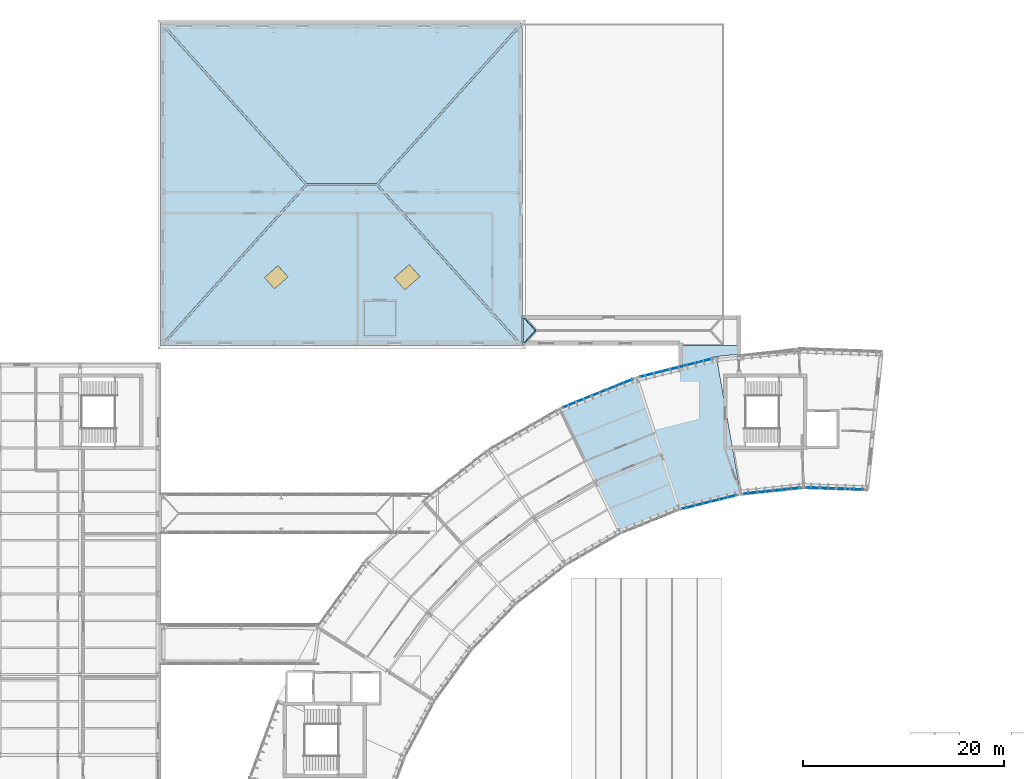
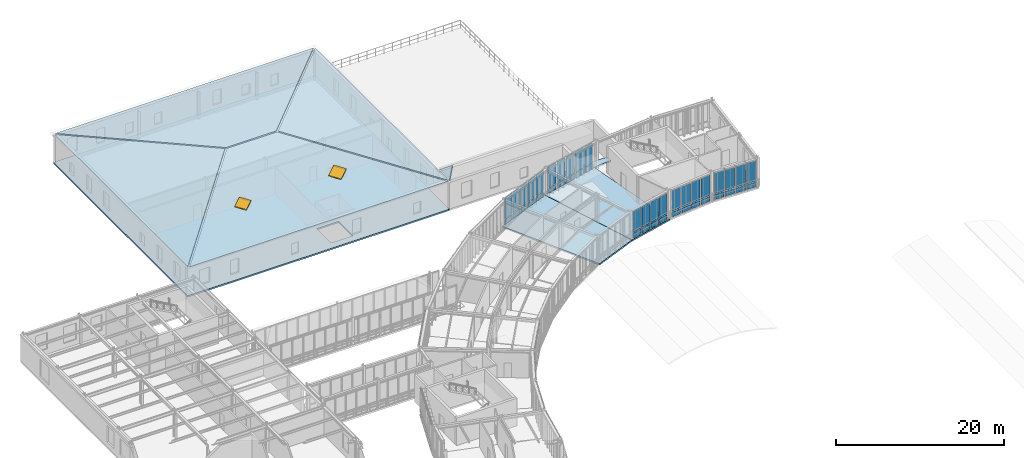
# One storey, part 32 of 57: 44 plates, 9 slabs, 2 windows, 2 openings, 5 elements without a shape of their own.
"""IFC4 building model written with IfcOpenShell, lengths in metres."""

from ifc_helpers import new_model, si_unit, direction, frame, origin, origin_2d, place, context, subcontext, project, spatial, polyline, rectangle, outline, extrude, material, layer, layer_set, type_object, element, fill, aggregate, save


model = new_model("IFC4")

# Units and contexts
model_context = context("Model", 3, precision=1e-05, world=origin(), true_north=direction((0.0, 1.0)))
body_context = subcontext(model_context, "Body", "Model", "MODEL_VIEW")
ifc_project = project(units=[si_unit("LENGTHUNIT", "METRE"), si_unit("AREAUNIT", "SQUARE_METRE"), si_unit("VOLUMEUNIT", "CUBIC_METRE"), si_unit("PLANEANGLEUNIT", "RADIAN"), si_unit("MASSUNIT", "GRAM", prefix="KILO"), si_unit("THERMODYNAMICTEMPERATUREUNIT", "KELVIN"), si_unit("POWERUNIT", "WATT")], contexts=[model_context])

# Site, building, storey
site_placement = place(None, origin())
site = spatial("IfcSite", under=ifc_project, at=site_placement, CompositionType="ELEMENT")
building_placement = place(site_placement, origin())
building = spatial("IfcBuilding", under=site, at=building_placement, Name="Solvatero Civic Police Headquarters", CompositionType="ELEMENT")
storey_placement = place(building_placement, frame((0.0, 0.0, 9.300048828125)))
storey = spatial("IfcBuildingStorey", under=building, at=storey_placement, Name="L02", CompositionType="ELEMENT", Elevation=9.300048828125)

# Curtain wall, plates
ifc_material_1 = material(Name="Anodized Bronze Aluminium", Category="aluminium")
ifc_layer_1 = layer(ifc_material_1, 0.179931640625)
ifc_layer_set_1 = layer_set([ifc_layer_1], Name="Anodized Bronze Aluminium")
curtain_wall_type_1 = type_object("IfcCurtainWallType", Name="CW-ARC-IN", PredefinedType="USERDEFINED", material=ifc_layer_set_1)
curtain_wall_1_placement = place(storey_placement, origin())
curtain_wall_1 = element("IfcCurtainWall", 1, at=curtain_wall_1_placement, inside=storey, type_object=curtain_wall_type_1, Name="Curtain Wall CW-R2-L02-ARC-IN-B01", ObjectType="UNITISED", PredefinedType="USERDEFINED")
ifc_material_2 = material(Name="Triple Low-E Laminated Glass", Category="glass")
ifc_layer_2 = layer(ifc_material_2, 0.0380859375)
ifc_layer_set_2 = layer_set([ifc_layer_2], Name="Triple Low-E Laminated Glass")
plate_type_1 = type_object("IfcPlateType", Name="CWP-GLZ-38", PredefinedType="CURTAIN_PANEL", material=ifc_layer_set_2)
plate_1_placement = place(storey_placement, frame((97.72998046875, 70.9072265625, 0.91015625), z_axis=(0.0, 0.0, 1.0), x_axis=(-0.999390827019, 0.034899496703, 0.0)))
plate_1 = element("IfcPlate", 2, at=plate_1_placement, type_object=plate_type_1, Name="CW-R2-L02-ARC-IN-B01 Vision Glazing 1", PredefinedType="CURTAIN_PANEL", context=body_context, shape_type="SweptSolid", body=[
    extrude(rectangle(XDim=1.26806640625, YDim=0.0380859375, at=origin_2d()), origin(), (0.0, 0.0, 1.0), 2.969970703125),
])
plate_2_placement = place(storey_placement, frame((94.8359375, 71.00830078125, 0.91015625), z_axis=(0.0, 0.0, 1.0), x_axis=(-0.999390827019, 0.034899496703, 0.0)))
plate_2 = element("IfcPlate", 3, at=plate_2_placement, type_object=plate_type_1, Name="CW-R2-L02-ARC-IN-B01 Vision Glazing 3", PredefinedType="CURTAIN_PANEL", context=body_context, shape_type="SweptSolid", body=[
    extrude(rectangle(XDim=1.26806640625, YDim=0.0380859375, at=origin_2d()), origin(), (0.0, 0.0, 1.0), 2.969970703125),
])

curtain_wall_2_placement = place(storey_placement, origin())
curtain_wall_2 = element("IfcCurtainWall", 4, at=curtain_wall_2_placement, inside=storey, type_object=curtain_wall_type_1, Name="Curtain Wall CW-R2-L02-ARC-IN-B02", ObjectType="UNITISED", PredefinedType="USERDEFINED")
plate_3_placement = place(storey_placement, frame((91.47119140625, 70.9921875, 0.91015625), z_axis=(0.0, 0.0, 1.0), x_axis=(-0.994521895368, -0.104528463268, 0.0)))
plate_3 = element("IfcPlate", 5, at=plate_3_placement, type_object=plate_type_1, Name="CW-R2-L02-ARC-IN-B02 Vision Glazing 1", PredefinedType="CURTAIN_PANEL", context=body_context, shape_type="SweptSolid", body=[
    extrude(rectangle(XDim=1.259033203125, YDim=0.0380859375, at=origin_2d()), origin(), (0.0, 0.0, 1.0), 2.969970703125),
])
plate_4_placement = place(storey_placement, frame((88.60888671875, 70.69140625, 0.91015625), z_axis=(0.0, 0.0, 1.0), x_axis=(-0.994521895368, -0.104528463268, 0.0)))
plate_4 = element("IfcPlate", 6, at=plate_4_placement, type_object=plate_type_1, Name="CW-R2-L02-ARC-IN-B02 Vision Glazing 3", PredefinedType="CURTAIN_PANEL", context=body_context, shape_type="SweptSolid", body=[
    extrude(rectangle(XDim=1.259033203125, YDim=0.0380859375, at=origin_2d()), origin(), (0.0, 0.0, 1.0), 2.969970703125),
])

ifc_layer_3 = layer(ifc_material_1, 0.179931640625)
ifc_layer_set_3 = layer_set([ifc_layer_3], Name="Anodized Bronze Aluminium")
curtain_wall_type_2 = type_object("IfcCurtainWallType", Name="CW-ARC-OUT", PredefinedType="USERDEFINED", material=ifc_layer_set_3)
curtain_wall_3_placement = place(storey_placement, origin())
curtain_wall_3 = element("IfcCurtainWall", 7, at=curtain_wall_3_placement, inside=storey, type_object=curtain_wall_type_2, Name="Curtain Wall CW-R2-L02-ARC-OUT-B03", ObjectType="UNITISED", PredefinedType="USERDEFINED")
plate_5_placement = place(storey_placement, frame((81.27294921875, 83.361572265625, 0.91015625), z_axis=(0.0, 0.0, 1.0), x_axis=(-0.970295726276, -0.2419218956, 0.0)))
plate_5 = element("IfcPlate", 8, at=plate_5_placement, type_object=plate_type_1, Name="CW-R2-L02-ARC-OUT-B03 Vision Glazing 2", PredefinedType="CURTAIN_PANEL", context=body_context, shape_type="SweptSolid", body=[
    extrude(rectangle(XDim=1.33544921875, YDim=0.0380859375, at=origin_2d()), origin(), (0.0, 0.0, 1.0), 2.969970703125),
])
plate_6_placement = place(storey_placement, frame((78.33203125, 82.628173828125, 0.91015625), z_axis=(0.0, 0.0, 1.0), x_axis=(-0.970295726276, -0.2419218956, 0.0)))
plate_6 = element("IfcPlate", 9, at=plate_6_placement, type_object=plate_type_1, Name="CW-R2-L02-ARC-OUT-B03 Vision Glazing 4", PredefinedType="CURTAIN_PANEL", context=body_context, shape_type="SweptSolid", body=[
    extrude(rectangle(XDim=1.33544921875, YDim=0.0380859375, at=origin_2d()), origin(), (0.0, 0.0, 1.0), 2.969970703125),
])

curtain_wall_4_placement = place(storey_placement, origin())
curtain_wall_4 = element("IfcCurtainWall", 10, at=curtain_wall_4_placement, inside=storey, type_object=curtain_wall_type_1, Name="Curtain Wall CW-R2-L02-ARC-IN-B03", ObjectType="UNITISED", PredefinedType="USERDEFINED")
plate_7_placement = place(storey_placement, frame((85.177001953125, 70.18798828125, 0.91015625), z_axis=(0.0, 0.0, 1.0), x_axis=(-0.970295726276, -0.2419218956, 0.0)))
plate_7 = element("IfcPlate", 11, at=plate_7_placement, type_object=plate_type_1, Name="CW-R2-L02-ARC-IN-B03 Vision Glazing 1", PredefinedType="CURTAIN_PANEL", context=body_context, shape_type="SweptSolid", body=[
    extrude(rectangle(XDim=1.259033203125, YDim=0.0380859375, at=origin_2d()), origin(), (0.0, 0.0, 1.0), 2.969970703125),
])
plate_8_placement = place(storey_placement, frame((82.384521484375, 69.491943359375, 0.91015625), z_axis=(0.0, 0.0, 1.0), x_axis=(-0.970295726276, -0.2419218956, 0.0)))
plate_8 = element("IfcPlate", 12, at=plate_8_placement, type_object=plate_type_1, Name="CW-R2-L02-ARC-IN-B03 Vision Glazing 3", PredefinedType="CURTAIN_PANEL", context=body_context, shape_type="SweptSolid", body=[
    extrude(rectangle(XDim=1.259033203125, YDim=0.0380859375, at=origin_2d()), origin(), (0.0, 0.0, 1.0), 2.969970703125),
])

curtain_wall_5_placement = place(storey_placement, origin())
curtain_wall_5 = element("IfcCurtainWall", 13, at=curtain_wall_5_placement, inside=storey, type_object=curtain_wall_type_2, Name="Curtain Wall CW-R2-L02-ARC-OUT-B04", ObjectType="UNITISED", PredefinedType="USERDEFINED")
plate_9_placement = place(storey_placement, frame((73.387451171875, 81.021484375, 0.91015625), z_axis=(0.0, 0.0, 1.0), x_axis=(-0.927183854567, -0.374606593416, 0.0)))
plate_9 = element("IfcPlate", 14, at=plate_9_placement, type_object=plate_type_1, Name="CW-R2-L02-ARC-OUT-B04 Vision Glazing 2", PredefinedType="CURTAIN_PANEL", context=body_context, shape_type="SweptSolid", body=[
    extrude(rectangle(XDim=1.337646484375, YDim=0.0380859375, at=origin_2d()), origin(), (0.0, 0.0, 1.0), 2.969970703125),
])
plate_10_placement = place(storey_placement, frame((70.572998046875, 79.88427734375, 0.91015625), z_axis=(0.0, 0.0, 1.0), x_axis=(-0.927183854567, -0.374606593416, 0.0)))
plate_10 = element("IfcPlate", 15, at=plate_10_placement, type_object=plate_type_1, Name="CW-R2-L02-ARC-OUT-B04 Vision Glazing 4", PredefinedType="CURTAIN_PANEL", context=body_context, shape_type="SweptSolid", body=[
    extrude(rectangle(XDim=1.337646484375, YDim=0.0380859375, at=origin_2d()), origin(), (0.0, 0.0, 1.0), 2.969970703125),
])

# Plate
ifc_material_3 = material(Name="Acoustic Ballistic Laminated Glass", Category="glass")
ifc_layer_4 = layer(ifc_material_3, 0.0439453125)
ifc_layer_set_4 = layer_set([ifc_layer_4], Name="Acoustic Ballistic Laminated Glass")
plate_type_2 = type_object("IfcPlateType", Name="CWP-GLZ-44", PredefinedType="CURTAIN_PANEL", material=ifc_layer_set_4)
plate_11_placement = place(storey_placement, frame((96.282958984375, 70.957763671875, 0.91015625), z_axis=(0.0, 0.0, 1.0), x_axis=(-0.999390827019, 0.034899496703, 0.0)))
plate_11 = element("IfcPlate", 16, at=plate_11_placement, type_object=plate_type_2, Name="CW-R2-L02-ARC-IN-B01 Vision Glazing 2", PredefinedType="CURTAIN_PANEL", context=body_context, shape_type="SweptSolid", body=[
    extrude(rectangle(XDim=1.26806640625, YDim=0.0439453125, at=origin_2d()), origin(), (0.0, 0.0, 1.0), 2.969970703125),
])

plate_12_placement = place(storey_placement, frame((93.388916015625, 71.058837890625, 0.91015625), z_axis=(0.0, 0.0, 1.0), x_axis=(-0.999390827019, 0.034899496703, 0.0)))
plate_12 = element("IfcPlate", 17, at=plate_12_placement, type_object=plate_type_2, Name="CW-R2-L02-ARC-IN-B01 Vision Glazing 4", PredefinedType="CURTAIN_PANEL", context=body_context, shape_type="SweptSolid", body=[
    extrude(rectangle(XDim=1.26806640625, YDim=0.0439453125, at=origin_2d()), origin(), (0.0, 0.0, 1.0), 2.969970703125),
])

plate_13_placement = place(storey_placement, frame((90.0400390625, 70.841796875, 0.91015625), z_axis=(0.0, 0.0, 1.0), x_axis=(-0.994521895368, -0.104528463268, 0.0)))
plate_13 = element("IfcPlate", 18, at=plate_13_placement, type_object=plate_type_2, Name="CW-R2-L02-ARC-IN-B02 Vision Glazing 2", PredefinedType="CURTAIN_PANEL", context=body_context, shape_type="SweptSolid", body=[
    extrude(rectangle(XDim=1.259033203125, YDim=0.0439453125, at=origin_2d()), origin(), (0.0, 0.0, 1.0), 2.969970703125),
])

plate_14_placement = place(storey_placement, frame((87.177978515625, 70.541015625, 0.91015625), z_axis=(0.0, 0.0, 1.0), x_axis=(-0.994521895368, -0.104528463268, 0.0)))
plate_14 = element("IfcPlate", 19, at=plate_14_placement, type_object=plate_type_2, Name="CW-R2-L02-ARC-IN-B02 Vision Glazing 4", PredefinedType="CURTAIN_PANEL", context=body_context, shape_type="SweptSolid", body=[
    extrude(rectangle(XDim=1.259033203125, YDim=0.0439453125, at=origin_2d()), origin(), (0.0, 0.0, 1.0), 2.969970703125),
])

plate_15_placement = place(storey_placement, frame((82.743408203125, 83.72802734375, 0.91015625), z_axis=(0.0, 0.0, 1.0), x_axis=(-0.970295726276, -0.2419218956, 0.0)))
plate_15 = element("IfcPlate", 20, at=plate_15_placement, type_object=plate_type_2, Name="CW-R2-L02-ARC-OUT-B03 Vision Glazing 1", PredefinedType="CURTAIN_PANEL", context=body_context, shape_type="SweptSolid", body=[
    extrude(rectangle(XDim=1.33544921875, YDim=0.0439453125, at=origin_2d()), origin(), (0.0, 0.0, 1.0), 2.969970703125),
])

plate_16_placement = place(storey_placement, frame((79.802490234375, 82.994873046875, 0.91015625), z_axis=(0.0, 0.0, 1.0), x_axis=(-0.970295726276, -0.2419218956, 0.0)))
plate_16 = element("IfcPlate", 21, at=plate_16_placement, type_object=plate_type_2, Name="CW-R2-L02-ARC-OUT-B03 Vision Glazing 3", PredefinedType="CURTAIN_PANEL", context=body_context, shape_type="SweptSolid", body=[
    extrude(rectangle(XDim=1.33544921875, YDim=0.0439453125, at=origin_2d()), origin(), (0.0, 0.0, 1.0), 2.969970703125),
])

plate_17_placement = place(storey_placement, frame((76.861572265625, 82.26171875, 0.91015625), z_axis=(0.0, 0.0, 1.0), x_axis=(-0.970295726276, -0.2419218956, 0.0)))
plate_17 = element("IfcPlate", 22, at=plate_17_placement, type_object=plate_type_2, Name="CW-R2-L02-ARC-OUT-B03 Vision Glazing 5", PredefinedType="CURTAIN_PANEL", context=body_context, shape_type="SweptSolid", body=[
    extrude(rectangle(XDim=1.33544921875, YDim=0.0439453125, at=origin_2d()), origin(), (0.0, 0.0, 1.0), 2.969970703125),
])

plate_18_placement = place(storey_placement, frame((83.780517578125, 69.840087890625, 0.91015625), z_axis=(0.0, 0.0, 1.0), x_axis=(-0.970295726276, -0.2419218956, 0.0)))
plate_18 = element("IfcPlate", 23, at=plate_18_placement, type_object=plate_type_2, Name="CW-R2-L02-ARC-IN-B03 Vision Glazing 2", PredefinedType="CURTAIN_PANEL", context=body_context, shape_type="SweptSolid", body=[
    extrude(rectangle(XDim=1.259033203125, YDim=0.0439453125, at=origin_2d()), origin(), (0.0, 0.0, 1.0), 2.969970703125),
])

plate_19_placement = place(storey_placement, frame((80.988037109375, 69.143798828125, 0.91015625), z_axis=(0.0, 0.0, 1.0), x_axis=(-0.970295726276, -0.2419218956, 0.0)))
plate_19 = element("IfcPlate", 24, at=plate_19_placement, type_object=plate_type_2, Name="CW-R2-L02-ARC-IN-B03 Vision Glazing 4", PredefinedType="CURTAIN_PANEL", context=body_context, shape_type="SweptSolid", body=[
    extrude(rectangle(XDim=1.259033203125, YDim=0.0439453125, at=origin_2d()), origin(), (0.0, 0.0, 1.0), 2.969970703125),
])

plate_20_placement = place(storey_placement, frame((74.794677734375, 81.58984375, 0.91015625), z_axis=(0.0, 0.0, 1.0), x_axis=(-0.927183854567, -0.374606593416, 0.0)))
plate_20 = element("IfcPlate", 25, at=plate_20_placement, type_object=plate_type_2, Name="CW-R2-L02-ARC-OUT-B04 Vision Glazing 1", PredefinedType="CURTAIN_PANEL", context=body_context, shape_type="SweptSolid", body=[
    extrude(rectangle(XDim=1.337646484375, YDim=0.0439453125, at=origin_2d()), origin(), (0.0, 0.0, 1.0), 2.969970703125),
])

plate_21_placement = place(storey_placement, frame((71.980224609375, 80.452880859375, 0.91015625), z_axis=(0.0, 0.0, 1.0), x_axis=(-0.927183854567, -0.374606593416, 0.0)))
plate_21 = element("IfcPlate", 26, at=plate_21_placement, type_object=plate_type_2, Name="CW-R2-L02-ARC-OUT-B04 Vision Glazing 3", PredefinedType="CURTAIN_PANEL", context=body_context, shape_type="SweptSolid", body=[
    extrude(rectangle(XDim=1.337646484375, YDim=0.0439453125, at=origin_2d()), origin(), (0.0, 0.0, 1.0), 2.969970703125),
])

plate_22_placement = place(storey_placement, frame((69.165771484375, 79.31591796875, 0.91015625), z_axis=(0.0, 0.0, 1.0), x_axis=(-0.927183854567, -0.374606593416, 0.0)))
plate_22 = element("IfcPlate", 27, at=plate_22_placement, type_object=plate_type_2, Name="CW-R2-L02-ARC-OUT-B04 Vision Glazing 5", PredefinedType="CURTAIN_PANEL", context=body_context, shape_type="SweptSolid", body=[
    extrude(rectangle(XDim=1.337646484375, YDim=0.0439453125, at=origin_2d()), origin(), (0.0, 0.0, 1.0), 2.969970703125),
])

ifc_material_4 = material(Name="Insulated Bronze Aluminium Spandrel", Category="aluminium")
ifc_layer_5 = layer(ifc_material_4, 0.06005859375)
ifc_layer_set_5 = layer_set([ifc_layer_5], Name="Insulated Bronze Aluminium Spandrel")
plate_type_3 = type_object("IfcPlateType", Name="CWP-SPN-60", PredefinedType="CURTAIN_PANEL", material=ifc_layer_set_5)
plate_23_placement = place(storey_placement, frame((97.72998046875, 70.9072265625, 0.06005859375), z_axis=(0.0, 0.0, 1.0), x_axis=(-0.999390827019, 0.034899496703, 0.0)))
plate_23 = element("IfcPlate", 28, at=plate_23_placement, type_object=plate_type_3, Name="CW-R2-L02-ARC-IN-B01 Spandrel Panel 1", PredefinedType="CURTAIN_PANEL", context=body_context, shape_type="SweptSolid", body=[
    extrude(rectangle(XDim=1.26806640625, YDim=0.06005859375, at=origin_2d()), origin(), (0.0, 0.0, 1.0), 0.72998046875),
])

plate_24_placement = place(storey_placement, frame((94.8359375, 71.00830078125, 0.06005859375), z_axis=(0.0, 0.0, 1.0), x_axis=(-0.999390827019, 0.034899496703, 0.0)))
plate_24 = element("IfcPlate", 29, at=plate_24_placement, type_object=plate_type_3, Name="CW-R2-L02-ARC-IN-B01 Spandrel Panel 3", PredefinedType="CURTAIN_PANEL", context=body_context, shape_type="SweptSolid", body=[
    extrude(rectangle(XDim=1.26806640625, YDim=0.06005859375, at=origin_2d()), origin(), (0.0, 0.0, 1.0), 0.72998046875),
])

plate_25_placement = place(storey_placement, frame((91.47119140625, 70.9921875, 0.06005859375), z_axis=(0.0, 0.0, 1.0), x_axis=(-0.994521895368, -0.104528463268, 0.0)))
plate_25 = element("IfcPlate", 30, at=plate_25_placement, type_object=plate_type_3, Name="CW-R2-L02-ARC-IN-B02 Spandrel Panel 1", PredefinedType="CURTAIN_PANEL", context=body_context, shape_type="SweptSolid", body=[
    extrude(rectangle(XDim=1.259033203125, YDim=0.06005859375, at=origin_2d()), origin(), (0.0, 0.0, 1.0), 0.72998046875),
])

plate_26_placement = place(storey_placement, frame((88.60888671875, 70.69140625, 0.06005859375), z_axis=(0.0, 0.0, 1.0), x_axis=(-0.994521895368, -0.104528463268, 0.0)))
plate_26 = element("IfcPlate", 31, at=plate_26_placement, type_object=plate_type_3, Name="CW-R2-L02-ARC-IN-B02 Spandrel Panel 3", PredefinedType="CURTAIN_PANEL", context=body_context, shape_type="SweptSolid", body=[
    extrude(rectangle(XDim=1.259033203125, YDim=0.06005859375, at=origin_2d()), origin(), (0.0, 0.0, 1.0), 0.72998046875),
])

plate_27_placement = place(storey_placement, frame((81.27294921875, 83.361572265625, 0.06005859375), z_axis=(0.0, 0.0, 1.0), x_axis=(-0.970295726276, -0.2419218956, 0.0)))
plate_27 = element("IfcPlate", 32, at=plate_27_placement, type_object=plate_type_3, Name="CW-R2-L02-ARC-OUT-B03 Spandrel Panel 2", PredefinedType="CURTAIN_PANEL", context=body_context, shape_type="SweptSolid", body=[
    extrude(rectangle(XDim=1.33544921875, YDim=0.06005859375, at=origin_2d()), origin(), (0.0, 0.0, 1.0), 0.72998046875),
])

plate_28_placement = place(storey_placement, frame((78.33203125, 82.628173828125, 0.06005859375), z_axis=(0.0, 0.0, 1.0), x_axis=(-0.970295726276, -0.2419218956, 0.0)))
plate_28 = element("IfcPlate", 33, at=plate_28_placement, type_object=plate_type_3, Name="CW-R2-L02-ARC-OUT-B03 Spandrel Panel 4", PredefinedType="CURTAIN_PANEL", context=body_context, shape_type="SweptSolid", body=[
    extrude(rectangle(XDim=1.33544921875, YDim=0.06005859375, at=origin_2d()), origin(), (0.0, 0.0, 1.0), 0.72998046875),
])

plate_29_placement = place(storey_placement, frame((85.177001953125, 70.18798828125, 0.06005859375), z_axis=(0.0, 0.0, 1.0), x_axis=(-0.970295726276, -0.2419218956, 0.0)))
plate_29 = element("IfcPlate", 34, at=plate_29_placement, type_object=plate_type_3, Name="CW-R2-L02-ARC-IN-B03 Spandrel Panel 1", PredefinedType="CURTAIN_PANEL", context=body_context, shape_type="SweptSolid", body=[
    extrude(rectangle(XDim=1.259033203125, YDim=0.06005859375, at=origin_2d()), origin(), (0.0, 0.0, 1.0), 0.72998046875),
])

plate_30_placement = place(storey_placement, frame((82.384521484375, 69.491943359375, 0.06005859375), z_axis=(0.0, 0.0, 1.0), x_axis=(-0.970295726276, -0.2419218956, 0.0)))
plate_30 = element("IfcPlate", 35, at=plate_30_placement, type_object=plate_type_3, Name="CW-R2-L02-ARC-IN-B03 Spandrel Panel 3", PredefinedType="CURTAIN_PANEL", context=body_context, shape_type="SweptSolid", body=[
    extrude(rectangle(XDim=1.259033203125, YDim=0.06005859375, at=origin_2d()), origin(), (0.0, 0.0, 1.0), 0.72998046875),
])

plate_31_placement = place(storey_placement, frame((73.387451171875, 81.021484375, 0.06005859375), z_axis=(0.0, 0.0, 1.0), x_axis=(-0.927183854567, -0.374606593416, 0.0)))
plate_31 = element("IfcPlate", 36, at=plate_31_placement, type_object=plate_type_3, Name="CW-R2-L02-ARC-OUT-B04 Spandrel Panel 2", PredefinedType="CURTAIN_PANEL", context=body_context, shape_type="SweptSolid", body=[
    extrude(rectangle(XDim=1.337646484375, YDim=0.06005859375, at=origin_2d()), origin(), (0.0, 0.0, 1.0), 0.72998046875),
])

plate_32_placement = place(storey_placement, frame((70.572998046875, 79.88427734375, 0.06005859375), z_axis=(0.0, 0.0, 1.0), x_axis=(-0.927183854567, -0.374606593416, 0.0)))
plate_32 = element("IfcPlate", 37, at=plate_32_placement, type_object=plate_type_3, Name="CW-R2-L02-ARC-OUT-B04 Spandrel Panel 4", PredefinedType="CURTAIN_PANEL", context=body_context, shape_type="SweptSolid", body=[
    extrude(rectangle(XDim=1.337646484375, YDim=0.06005859375, at=origin_2d()), origin(), (0.0, 0.0, 1.0), 0.72998046875),
])

ifc_material_5 = material(Name="Limestone Veneer Spandrel Panel", Category="masonry")
ifc_layer_6 = layer(ifc_material_5, 0.074951171875)
ifc_layer_set_6 = layer_set([ifc_layer_6], Name="Limestone Veneer Spandrel Panel")
plate_type_4 = type_object("IfcPlateType", Name="CWP-SPN-75", PredefinedType="CURTAIN_PANEL", material=ifc_layer_set_6)
plate_33_placement = place(storey_placement, frame((96.282958984375, 70.957763671875, 0.06005859375), z_axis=(0.0, 0.0, 1.0), x_axis=(-0.999390827019, 0.034899496703, 0.0)))
plate_33 = element("IfcPlate", 38, at=plate_33_placement, type_object=plate_type_4, Name="CW-R2-L02-ARC-IN-B01 Spandrel Panel 2", PredefinedType="CURTAIN_PANEL", context=body_context, shape_type="SweptSolid", body=[
    extrude(rectangle(XDim=1.26806640625, YDim=0.074951171875, at=origin_2d()), origin(), (0.0, 0.0, 1.0), 0.72998046875),
])

plate_34_placement = place(storey_placement, frame((93.388916015625, 71.058837890625, 0.06005859375), z_axis=(0.0, 0.0, 1.0), x_axis=(-0.999390827019, 0.034899496703, 0.0)))
plate_34 = element("IfcPlate", 39, at=plate_34_placement, type_object=plate_type_4, Name="CW-R2-L02-ARC-IN-B01 Spandrel Panel 4", PredefinedType="CURTAIN_PANEL", context=body_context, shape_type="SweptSolid", body=[
    extrude(rectangle(XDim=1.26806640625, YDim=0.074951171875, at=origin_2d()), origin(), (0.0, 0.0, 1.0), 0.72998046875),
])

aggregate(curtain_wall_1, [plate_23, plate_1, plate_33, plate_11, plate_24, plate_2, plate_34, plate_12])

plate_35_placement = place(storey_placement, frame((90.0400390625, 70.841796875, 0.06005859375), z_axis=(0.0, 0.0, 1.0), x_axis=(-0.994521895368, -0.104528463268, 0.0)))
plate_35 = element("IfcPlate", 40, at=plate_35_placement, type_object=plate_type_4, Name="CW-R2-L02-ARC-IN-B02 Spandrel Panel 2", PredefinedType="CURTAIN_PANEL", context=body_context, shape_type="SweptSolid", body=[
    extrude(rectangle(XDim=1.259033203125, YDim=0.074951171875, at=origin_2d()), origin(), (0.0, 0.0, 1.0), 0.72998046875),
])

plate_36_placement = place(storey_placement, frame((87.177978515625, 70.541015625, 0.06005859375), z_axis=(0.0, 0.0, 1.0), x_axis=(-0.994521895368, -0.104528463268, 0.0)))
plate_36 = element("IfcPlate", 41, at=plate_36_placement, type_object=plate_type_4, Name="CW-R2-L02-ARC-IN-B02 Spandrel Panel 4", PredefinedType="CURTAIN_PANEL", context=body_context, shape_type="SweptSolid", body=[
    extrude(rectangle(XDim=1.259033203125, YDim=0.074951171875, at=origin_2d()), origin(), (0.0, 0.0, 1.0), 0.72998046875),
])

aggregate(curtain_wall_2, [plate_25, plate_3, plate_35, plate_13, plate_26, plate_4, plate_36, plate_14])

plate_37_placement = place(storey_placement, frame((82.743408203125, 83.72802734375, 0.06005859375), z_axis=(0.0, 0.0, 1.0), x_axis=(-0.970295726276, -0.2419218956, 0.0)))
plate_37 = element("IfcPlate", 42, at=plate_37_placement, type_object=plate_type_4, Name="CW-R2-L02-ARC-OUT-B03 Spandrel Panel 1", PredefinedType="CURTAIN_PANEL", context=body_context, shape_type="SweptSolid", body=[
    extrude(rectangle(XDim=1.33544921875, YDim=0.074951171875, at=origin_2d()), origin(), (0.0, 0.0, 1.0), 0.72998046875),
])

plate_38_placement = place(storey_placement, frame((79.802490234375, 82.994873046875, 0.06005859375), z_axis=(0.0, 0.0, 1.0), x_axis=(-0.970295726276, -0.2419218956, 0.0)))
plate_38 = element("IfcPlate", 43, at=plate_38_placement, type_object=plate_type_4, Name="CW-R2-L02-ARC-OUT-B03 Spandrel Panel 3", PredefinedType="CURTAIN_PANEL", context=body_context, shape_type="SweptSolid", body=[
    extrude(rectangle(XDim=1.33544921875, YDim=0.074951171875, at=origin_2d()), origin(), (0.0, 0.0, 1.0), 0.72998046875),
])

plate_39_placement = place(storey_placement, frame((76.861572265625, 82.26171875, 0.06005859375), z_axis=(0.0, 0.0, 1.0), x_axis=(-0.970295726276, -0.2419218956, 0.0)))
plate_39 = element("IfcPlate", 44, at=plate_39_placement, type_object=plate_type_4, Name="CW-R2-L02-ARC-OUT-B03 Spandrel Panel 5", PredefinedType="CURTAIN_PANEL", context=body_context, shape_type="SweptSolid", body=[
    extrude(rectangle(XDim=1.33544921875, YDim=0.074951171875, at=origin_2d()), origin(), (0.0, 0.0, 1.0), 0.72998046875),
])

aggregate(curtain_wall_3, [plate_37, plate_15, plate_27, plate_5, plate_38, plate_16, plate_28, plate_6, plate_39, plate_17])

plate_40_placement = place(storey_placement, frame((83.780517578125, 69.840087890625, 0.06005859375), z_axis=(0.0, 0.0, 1.0), x_axis=(-0.970295726276, -0.2419218956, 0.0)))
plate_40 = element("IfcPlate", 45, at=plate_40_placement, type_object=plate_type_4, Name="CW-R2-L02-ARC-IN-B03 Spandrel Panel 2", PredefinedType="CURTAIN_PANEL", context=body_context, shape_type="SweptSolid", body=[
    extrude(rectangle(XDim=1.259033203125, YDim=0.074951171875, at=origin_2d()), origin(), (0.0, 0.0, 1.0), 0.72998046875),
])

plate_41_placement = place(storey_placement, frame((80.988037109375, 69.143798828125, 0.06005859375), z_axis=(0.0, 0.0, 1.0), x_axis=(-0.970295726276, -0.2419218956, 0.0)))
plate_41 = element("IfcPlate", 46, at=plate_41_placement, type_object=plate_type_4, Name="CW-R2-L02-ARC-IN-B03 Spandrel Panel 4", PredefinedType="CURTAIN_PANEL", context=body_context, shape_type="SweptSolid", body=[
    extrude(rectangle(XDim=1.259033203125, YDim=0.074951171875, at=origin_2d()), origin(), (0.0, 0.0, 1.0), 0.72998046875),
])

aggregate(curtain_wall_4, [plate_29, plate_7, plate_40, plate_18, plate_30, plate_8, plate_41, plate_19])

plate_42_placement = place(storey_placement, frame((74.794677734375, 81.58984375, 0.06005859375), z_axis=(0.0, 0.0, 1.0), x_axis=(-0.927183854567, -0.374606593416, 0.0)))
plate_42 = element("IfcPlate", 47, at=plate_42_placement, type_object=plate_type_4, Name="CW-R2-L02-ARC-OUT-B04 Spandrel Panel 1", PredefinedType="CURTAIN_PANEL", context=body_context, shape_type="SweptSolid", body=[
    extrude(rectangle(XDim=1.337646484375, YDim=0.074951171875, at=origin_2d()), origin(), (0.0, 0.0, 1.0), 0.72998046875),
])

plate_43_placement = place(storey_placement, frame((71.980224609375, 80.452880859375, 0.06005859375), z_axis=(0.0, 0.0, 1.0), x_axis=(-0.927183854567, -0.374606593416, 0.0)))
plate_43 = element("IfcPlate", 48, at=plate_43_placement, type_object=plate_type_4, Name="CW-R2-L02-ARC-OUT-B04 Spandrel Panel 3", PredefinedType="CURTAIN_PANEL", context=body_context, shape_type="SweptSolid", body=[
    extrude(rectangle(XDim=1.337646484375, YDim=0.074951171875, at=origin_2d()), origin(), (0.0, 0.0, 1.0), 0.72998046875),
])

plate_44_placement = place(storey_placement, frame((69.165771484375, 79.31591796875, 0.06005859375), z_axis=(0.0, 0.0, 1.0), x_axis=(-0.927183854567, -0.374606593416, 0.0)))
plate_44 = element("IfcPlate", 49, at=plate_44_placement, type_object=plate_type_4, Name="CW-R2-L02-ARC-OUT-B04 Spandrel Panel 5", PredefinedType="CURTAIN_PANEL", context=body_context, shape_type="SweptSolid", body=[
    extrude(rectangle(XDim=1.337646484375, YDim=0.074951171875, at=origin_2d()), origin(), (0.0, 0.0, 1.0), 0.72998046875),
])

aggregate(curtain_wall_5, [plate_42, plate_20, plate_31, plate_9, plate_43, plate_21, plate_32, plate_10, plate_44, plate_22])

# Slabs
ifc_material_6 = material(Name="Concrete C35/45", Category="concrete")
ifc_layer_7 = layer(ifc_material_6, 0.199951171875)
ifc_layer_set_7 = layer_set([ifc_layer_7], Name="Concrete C35/45")
slab_type_1 = type_object("IfcSlabType", Name="SLB-COMP-200", PredefinedType="FLOOR", material=ifc_layer_set_7)
slab_1_placement = place(storey_placement, frame((0.0, 0.0, -0.219970703125)))
element("IfcSlab", 50, at=slab_1_placement, inside=storey, type_object=slab_type_1, Name="L02 Operations Arc Floor Slab Bay 3", PredefinedType="FLOOR", context=body_context, shape_type="SweptSolid", body=[
    extrude(outline(polyline([(83.7529296875, 84.103271484375), (86.183837890625, 70.31591796875), (80.09423828125, 68.797607421875), (75.76806640625, 82.1123046875), (83.7529296875, 84.103271484375)])), origin(), (0.0, 0.0, 1.0), 0.219970703125),
])
slab_2_placement = place(storey_placement, frame((0.0, 0.0, -0.219970703125)))
element("IfcSlab", 51, at=slab_2_placement, inside=storey, type_object=slab_type_1, Name="L02 Operations Arc Floor Slab Bay 4", PredefinedType="FLOOR", context=body_context, shape_type="SweptSolid", body=[
    extrude(outline(polyline([(75.76611328125, 82.111572265625), (80.09228515625, 68.796630859375), (74.273193359375, 66.44580078125), (68.135986328125, 79.02880859375), (75.76611328125, 82.111572265625)])), origin(), (0.0, 0.0, 1.0), 0.219970703125),
])
ifc_layer_8 = layer(ifc_material_6, 0.219970703125)
ifc_layer_set_8 = layer_set([ifc_layer_8], Name="Concrete C35/45")
slab_type_2 = type_object("IfcSlabType", Name="SLB-COMP-220", PredefinedType="FLOOR", material=ifc_layer_set_8)
slab_3_placement = place(storey_placement, frame((0.0, 0.0, -0.219970703125)))
element("IfcSlab", 52, at=slab_3_placement, inside=storey, type_object=slab_type_2, Name="L02 Suspended floor slab SLB-L02-V7", PredefinedType="FLOOR", context=body_context, shape_type="SweptSolid", body=[
    extrude(outline(polyline([(28.5, 117.199951171875), (64.5, 117.199951171875), (64.5, 85.199951171875), (28.5, 85.199951171875), (28.5, 117.199951171875)]), holes=[polyline([(51.800048828125, 89.60009765625), (48.800048828125, 89.60009765625), (48.800048828125, 86.199951171875), (51.800048828125, 86.199951171875), (51.800048828125, 89.60009765625)])]), origin(), (0.0, 0.0, 1.0), 0.219970703125),
])
slab_4_placement = place(storey_placement, frame((0.0, 0.0, -0.219970703125)))
element("IfcSlab", 53, at=slab_4_placement, inside=storey, type_object=slab_type_2, Name="L02 Suspended floor slab SLB-L02-C3LK", PredefinedType="FLOOR", context=body_context, shape_type="SweptSolid", body=[
    extrude(outline(polyline([(80.0, 85.197998046875), (86.001953125, 85.197998046875), (86.001953125, 85.199951171875), (86.199951171875, 85.199951171875), (86.199951171875, 84.36279296875), (83.75244140625, 84.10546875), (80.0, 83.169677734375), (80.0, 85.197998046875)])), origin(), (0.0, 0.0, 1.0), 0.219970703125),
])

# Slab, openings, windows
ifc_layer_9 = layer(ifc_material_6, 0.179931640625)
ifc_layer_set_9 = layer_set([ifc_layer_9], Name="Concrete C35/45")
slab_type_3 = type_object("IfcSlabType", Name="SLB-RF-COT-180", PredefinedType="ROOF", material=ifc_layer_set_9)
slab_5_placement = place(storey_placement, frame((49.95068359375, 101.09130859375, 6.682373046875), z_axis=(0.0, -0.159194766868, 0.987247196097), x_axis=(0.664211446788, -0.738011458859, -0.119005212275)))
slab_5 = element("IfcSlab", 54, at=slab_5_placement, inside=storey, type_object=slab_type_3, Name="CUSW Lombard Hipped Roof Slab S", PredefinedType="ROOF", context=body_context, shape_type="SweptSolid", body=[
    extrude(outline(polyline([(0.0, 0.0), (21.532670300869995, -9.992007221626409e-16), (-2.0507279240502605, -26.54221878671984), (-4.583967084424651, -5.159080812083973), (0.0, 0.0)])), origin(), (0.0, 0.0, -1.0), 0.179931640625),
])
opening_1_placement = place(slab_5_placement, frame((0.274658203125, -13.55517578125, 0.0)))
opening_1 = element("IfcOpeningElement", 55, at=opening_1_placement, cuts=slab_5, Name="Opening SK-03", PredefinedType="OPENING", context=body_context, shape_type="SweptSolid", body=[
    extrude(rectangle(XDim=1.5, YDim=1.800048828125, at=origin_2d()), frame((0.0, 0.0, -0.300048828125)), (0.0, 0.0, 1.0), 0.5),
])
opening_2_placement = place(slab_5_placement, frame((8.909423828125, -3.837158203125, 0.0)))
opening_2 = element("IfcOpeningElement", 56, at=opening_2_placement, cuts=slab_5, Name="Opening SK-04", PredefinedType="OPENING", context=body_context, shape_type="SweptSolid", body=[
    extrude(rectangle(XDim=1.60009765625, YDim=2.0, at=origin_2d()), frame((0.0, 0.0, -0.300048828125)), (0.0, 0.0, 1.0), 0.5),
])
ifc_material_7 = material(Name="Insulated Aluminium Curb Glass", Category="aluminium")
window_type_1 = type_object("IfcWindowType", Name="SK-RF-150x180", PartitioningType="SINGLE_PANEL", PredefinedType="SKYLIGHT", material=ifc_material_7)
window_1_placement = place(opening_1_placement, frame((0.0, 0.0, 0.02001953125)))
window_1 = element("IfcWindow", 57, at=window_1_placement, inside=storey, type_object=window_type_1, Name="Roof Access Skylight Hatch SKH-03", OverallHeight=1.800048828125, OverallWidth=1.5, PartitioningType="SINGLE_PANEL", PredefinedType="SKYLIGHT", context=body_context, shape_type="SweptSolid", body=[
    extrude(rectangle(XDim=1.5, YDim=1.800048828125, at=origin_2d()), origin(), (0.0, 0.0, 1.0), 0.080078125),
])
fill(opening_1, window_1)
window_type_2 = type_object("IfcWindowType", Name="SK-RF-160x200", PartitioningType="SINGLE_PANEL", PredefinedType="SKYLIGHT", material=ifc_material_7)
window_2_placement = place(opening_2_placement, frame((0.0, 0.0, 0.02001953125)))
window_2 = element("IfcWindow", 58, at=window_2_placement, inside=storey, type_object=window_type_2, Name="Roof Access Skylight Hatch SKH-04", OverallHeight=2.0, OverallWidth=1.60009765625, PartitioningType="SINGLE_PANEL", PredefinedType="SKYLIGHT", context=body_context, shape_type="SweptSolid", body=[
    extrude(rectangle(XDim=1.60009765625, YDim=2.0, at=origin_2d()), origin(), (0.0, 0.0, 1.0), 0.080078125),
])
fill(opening_2, window_2)

# Slabs
slab_6_placement = place(storey_placement, frame((43.04931640625, 101.30859375, 6.682373046875), z_axis=(0.0, 0.159194766868, 0.987247196097), x_axis=(-0.664211446788, 0.738011458859, -0.119005212275)))
element("IfcSlab", 59, at=slab_6_placement, inside=storey, type_object=slab_type_3, Name="CUSW Lombard Hipped Roof Slab N", PredefinedType="ROOF", context=body_context, shape_type="SweptSolid", body=[
    extrude(outline(polyline([(0.0, 0.0), (21.532670300869995, -9.992007221626409e-16), (-2.0507279240502605, -26.54221878671984), (-4.583967084424651, -5.159080812083973), (0.0, 0.0)])), origin(), (0.0, 0.0, -1.0), 0.179931640625),
])
slab_7_placement = place(storey_placement, frame((28.60009765625, 85.363037109375, 4.119873046875), z_axis=(-0.176359568775, 0.0, 0.984325811153), x_axis=(0.0, 1.0, 0.0)))
element("IfcSlab", 60, at=slab_7_placement, inside=storey, type_object=slab_type_3, Name="CUSW Lombard Hipped Roof Slab W", PredefinedType="ROOF", context=body_context, shape_type="SweptSolid", body=[
    extrude(outline(polyline([(0.0, 0.0), (31.674072265625, 0.0), (15.8369140625, -14.480138249583622), (0.0, 0.0)])), origin(), (0.0, 0.0, -1.0), 0.179931640625),
])
slab_8_placement = place(storey_placement, frame((64.39990234375, 117.037109375, 4.119873046875), z_axis=(0.176359568775, 0.0, 0.984325811153), x_axis=(0.0, -1.0, 0.0)))
element("IfcSlab", 61, at=slab_8_placement, inside=storey, type_object=slab_type_3, Name="CUSW Lombard Hipped Roof Slab E", PredefinedType="ROOF", context=body_context, shape_type="SweptSolid", body=[
    extrude(outline(polyline([(0.0, 0.0), (31.674072265625, 0.0), (15.837158203125, -14.480138249583622), (0.0, 0.0)])), origin(), (0.0, 0.0, -1.0), 0.179931640625),
])
slab_9_placement = place(storey_placement, frame((64.60009765625, 85.44189453125, 3.97998046875), z_axis=(-0.680475338999, 0.0, 0.732770982651), x_axis=(0.0, 1.0, 0.0)))
element("IfcSlab", 62, at=slab_9_placement, inside=storey, type_object=slab_type_3, Name="V7CORR Lombard Hipped Roof Slab W", PredefinedType="ROOF", context=body_context, shape_type="SweptSolid", body=[
    extrude(outline(polyline([(0.0, 0.0), (2.51611328125, 0.0), (1.258056640625, -1.5452634527833249), (0.0, 0.0)])), origin(), (0.0, 0.0, -1.0), 0.179931640625),
])

save(model, "model.ifc")
